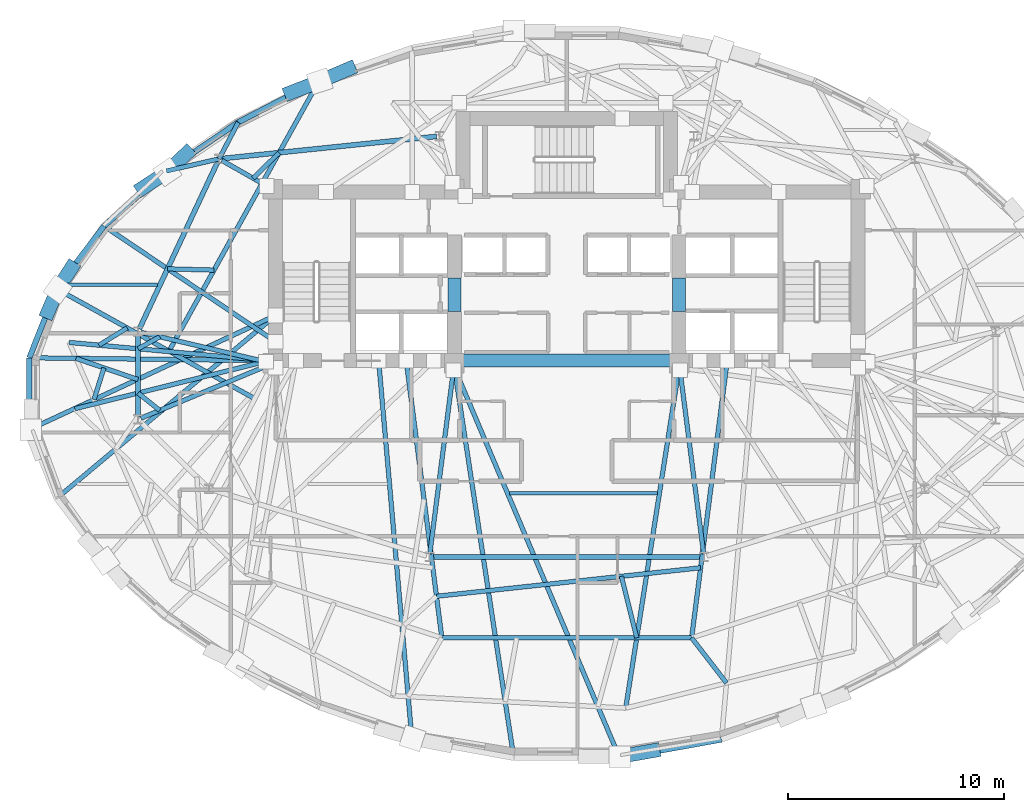
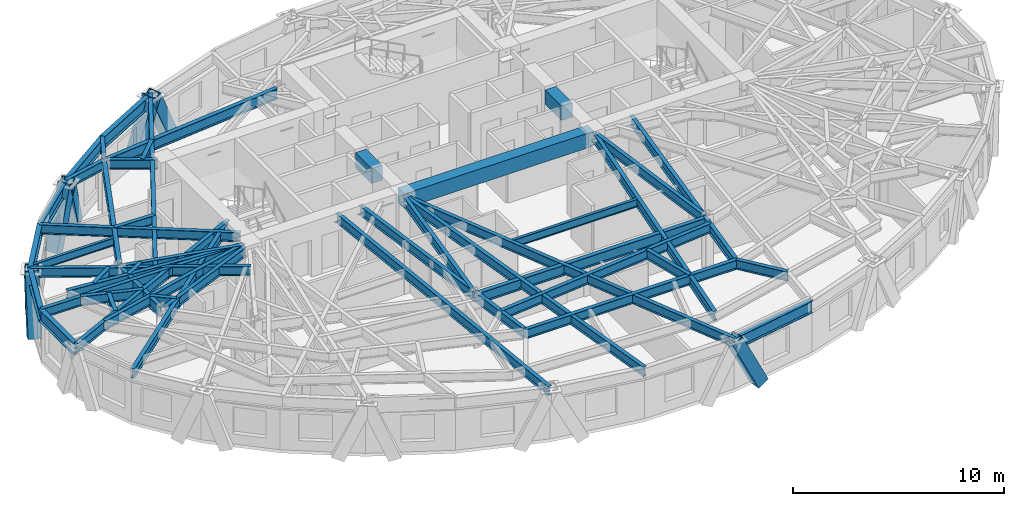
# One storey, part 2 of 14: 48 beams, 7 members.
"""IFC4 building model written with IfcOpenShell, lengths in metres."""

from ifc_helpers import new_model, si_unit, direction, frame, origin, origin_2d, place, context, subcontext, project, spatial, rectangle, hollow_rectangle, i_section, extrude, material, material_profile, profile_set, type_object, element, save


model = new_model("IFC4")

# Units and contexts
model_context = context("Model", 3, precision=1e-05, world=origin(), true_north=direction((0.0, 1.0)))
body_context = subcontext(model_context, "Body", "Model", "MODEL_VIEW")
ifc_project = project(units=[si_unit("LENGTHUNIT", "METRE"), si_unit("AREAUNIT", "SQUARE_METRE"), si_unit("VOLUMEUNIT", "CUBIC_METRE"), si_unit("PLANEANGLEUNIT", "RADIAN"), si_unit("MASSUNIT", "GRAM", prefix="KILO")], contexts=[model_context])

# Site, building, storey
site_placement = place(None, origin())
site = spatial("IfcSite", under=ifc_project, at=site_placement, CompositionType="ELEMENT")
building_placement = place(site_placement, origin())
building = spatial("IfcBuilding", under=site, at=building_placement, Name="Keldmark Tower", CompositionType="ELEMENT")
storey_placement = place(building_placement, frame((0.0, 0.0, 172.60009765625)))
storey = spatial("IfcBuildingStorey", under=building, at=storey_placement, Name="L47", CompositionType="ELEMENT", Elevation=172.60009765625)

# Beams
ifc_material_1 = material(Name="Steel ASTM A992 Grade 50", Category="steel")
ifc_material_profile_1 = material_profile(ifc_material_1, i_section(OverallWidth=0.153076171875, OverallDepth=0.455078125, WebThickness=0.008056640625, FlangeThickness=0.01318359375, at=origin_2d()), Name="W18X40")
ifc_profile_set_1 = profile_set([ifc_material_profile_1], Name="Steel ASTM A992 Grade 50")
beam_type_1 = type_object("IfcBeamType", Name="Composite Floor Joist W18X40", PredefinedType="JOIST", material=ifc_profile_set_1)
beam_1_placement = place(storey_placement, frame((-2.6376953125, -4.60009765625, 2.79248046875), z_axis=(1.0, 0.0, 0.0), x_axis=(0.0, 1.0, 0.0)))
element("IfcBeam", 1, at=beam_1_placement, inside=storey, type_object=beam_type_1, Name="L47 Composite Floor Joist J03", PredefinedType="JOIST", context=body_context, shape_type="SweptSolid", body=[
    extrude(i_section(OverallWidth=0.153076171875, OverallDepth=0.455078125, WebThickness=0.008056640625, FlangeThickness=0.01318359375, at=origin_2d()), origin(), (0.0, 0.0, 1.0), 6.830078125),
])
beam_2_placement = place(storey_placement, frame((-23.3095703125, 5.0400390625, 2.79248046875), z_axis=(1.0, 0.0, 0.0), x_axis=(0.0, 1.0, 0.0)))
element("IfcBeam", 2, at=beam_2_placement, inside=storey, type_object=beam_type_1, Name="L47 Composite Floor Joist J06", PredefinedType="JOIST", context=body_context, shape_type="SweptSolid", body=[
    extrude(i_section(OverallWidth=0.153076171875, OverallDepth=0.455078125, WebThickness=0.008056640625, FlangeThickness=0.01318359375, at=origin_2d()), origin(), (0.0, 0.0, 1.0), 4.3818359375),
])
ifc_material_2 = material(Name="Concrete C50/60", Category="concrete")
ifc_material_profile_2 = material_profile(ifc_material_2, rectangle(XDim=0.60009765625, YDim=0.85009765625, at=origin_2d()), Name="RCB600X850")
ifc_profile_set_2 = profile_set([ifc_material_profile_2], Name="Concrete C50/60")
beam_type_2 = type_object("IfcBeamType", Name="Core Coupling Beam RCB600X850", PredefinedType="USERDEFINED", material=ifc_profile_set_2)
for number, where, z_axis, x_axis, name in (
    (3, (-5.199951171875, 3.800048828125, 2.594970703125), (0.0, 1.0, 0.0), (-1.0, 0.0, 0.0), "L47 West Core Coupling Beam"),
    (4, (5.199951171875, 3.800048828125, 2.594970703125), (0.0, 1.0, 0.0), (-1.0, 0.0, 0.0), "L47 East Core Coupling Beam"),
):
    element("IfcBeam", number, at=place(storey_placement, frame(where, z_axis=z_axis, x_axis=x_axis)), inside=storey, type_object=beam_type_2, Name=name, ObjectType="COUPLING BEAM", PredefinedType="USERDEFINED", context=body_context, shape_type="SweptSolid", body=[
        extrude(rectangle(XDim=0.60009765625, YDim=0.85009765625, at=origin_2d()), origin(), (0.0, 0.0, 1.0), 1.550048828125),
    ])
beam_3_placement = place(storey_placement, frame((-5.199951171875, 1.52490234375, 2.594970703125), z_axis=(1.0, 0.0, 0.0), x_axis=(0.0, 1.0, 0.0)))
element("IfcBeam", 5, at=beam_3_placement, inside=storey, type_object=beam_type_2, Name="L47 Central South Core Coupling Beam", ObjectType="COUPLING BEAM", PredefinedType="USERDEFINED", context=body_context, shape_type="SweptSolid", body=[
    extrude(rectangle(XDim=0.60009765625, YDim=0.85009765625, at=origin_2d()), origin(), (0.0, 0.0, 1.0), 10.39990234375),
])

# Members
ifc_material_3 = material(Name="Steel ASTM A572 Grade 50", Category="steel")
ifc_material_profile_3 = material_profile(ifc_material_3, hollow_rectangle(XDim=0.64990234375, YDim=0.64990234375, WallThickness=0.0400390625, at=origin_2d()), Name="BOX650X650X40")
ifc_profile_set_3 = profile_set([ifc_material_profile_3], Name="Steel ASTM A572 Grade 50")
member_type = type_object("IfcMemberType", Name="Diagrid Zone 3 Brace BOX650X650X40", PredefinedType="BRACE", material=ifc_profile_set_3)
member_1_placement = place(storey_placement, frame((-10.05810546875, 15.033447265625, -0.260009765625), z_axis=(-0.390561707764, -0.167163768187, 0.905272239182), x_axis=(0.393482114759, -0.919332271469, 0.0)))
element("IfcMember", 6, at=member_1_placement, inside=storey, type_object=member_type, Name="L47 Perimeter Diagrid Brace 05B", PredefinedType="BRACE", context=body_context, shape_type="SweptSolid", body=[
    extrude(hollow_rectangle(XDim=0.64990234375, YDim=0.64990234375, WallThickness=0.0400390625, at=origin_2d()), origin(), (0.0, 0.0, 1.0), 3.490478515625),
])
member_2_placement = place(storey_placement, frame((-12.776611328125, 13.921630859375, -0.260009765625), z_axis=(0.392185371465, 0.15292145828, 0.907086358626), x_axis=(-0.363281691145, 0.931679350892, 0.0)))
element("IfcMember", 7, at=member_2_placement, inside=storey, type_object=member_type, Name="L47 Perimeter Diagrid Brace 06A", PredefinedType="BRACE", context=body_context, shape_type="SweptSolid", body=[
    extrude(hollow_rectangle(XDim=0.64990234375, YDim=0.64990234375, WallThickness=0.0400390625, at=origin_2d()), origin(), (0.0, 0.0, 1.0), 3.483642578125),
])
member_3_placement = place(storey_placement, frame((-17.5673828125, 11.12939453125, -0.260009765625), z_axis=(-0.267682370823, -0.256992294904, 0.928601695406), x_axis=(0.692555975601, -0.72136413874, 0.0)))
element("IfcMember", 8, at=member_3_placement, inside=storey, type_object=member_type, Name="L47 Perimeter Diagrid Brace 06B", PredefinedType="BRACE", context=body_context, shape_type="SweptSolid", body=[
    extrude(hollow_rectangle(XDim=0.64990234375, YDim=0.64990234375, WallThickness=0.0400390625, at=origin_2d()), origin(), (0.0, 0.0, 1.0), 3.40283203125),
])
member_4_placement = place(storey_placement, frame((-19.623291015625, 9.5107421875, -0.260009765625), z_axis=(0.334593004746, 0.218292895984, 0.916731003478), x_axis=(-0.546408382315, 0.837518883211, 0.0)))
element("IfcMember", 9, at=member_4_placement, inside=storey, type_object=member_type, Name="L47 Perimeter Diagrid Brace 07A", PredefinedType="BRACE", context=body_context, shape_type="SweptSolid", body=[
    extrude(hollow_rectangle(XDim=0.64990234375, YDim=0.64990234375, WallThickness=0.0400390625, at=origin_2d()), origin(), (0.0, 0.0, 1.0), 3.447021484375),
])
member_5_placement = place(storey_placement, frame((-22.91064453125, 5.820068359375, -0.260009765625), z_axis=(-0.18916227481, -0.294887631925, 0.936621011043), x_axis=(0.841708251644, -0.539932606085, 0.0)))
element("IfcMember", 10, at=member_5_placement, inside=storey, type_object=member_type, Name="L47 Perimeter Diagrid Brace 07B", PredefinedType="BRACE", context=body_context, shape_type="SweptSolid", body=[
    extrude(hollow_rectangle(XDim=0.64990234375, YDim=0.64990234375, WallThickness=0.0400390625, at=origin_2d()), origin(), (0.0, 0.0, 1.0), 3.373779296875),
])
member_6_placement = place(storey_placement, frame((-23.997314453125, 3.779541015625, -0.260009765625), z_axis=(0.13468439485, 0.314239385935, 0.939741305951), x_axis=(-0.919134045045, 0.393944929196, 0.0)))
element("IfcMember", 11, at=member_6_placement, inside=storey, type_object=member_type, Name="L47 Perimeter Diagrid Brace 08A", PredefinedType="BRACE", context=body_context, shape_type="SweptSolid", body=[
    extrude(hollow_rectangle(XDim=0.64990234375, YDim=0.64990234375, WallThickness=0.0400390625, at=origin_2d()), origin(), (0.0, 0.0, 1.0), 3.362548828125),
])
member_7_placement = place(storey_placement, frame((4.017578125, -16.5107421875, -0.260009765625), z_axis=(-0.444800567531, -0.078855082792, 0.892151517984), x_axis=(0.174559994051, -0.984646539869, 0.0)))
element("IfcMember", 12, at=member_7_placement, inside=storey, type_object=member_type, Name="L47 Perimeter Diagrid Brace 13A", PredefinedType="BRACE", context=body_context, shape_type="SweptSolid", body=[
    extrude(hollow_rectangle(XDim=0.64990234375, YDim=0.64990234375, WallThickness=0.0400390625, at=origin_2d()), origin(), (0.0, 0.0, 1.0), 3.5419921875),
])

# Beams
ifc_material_4 = material(Name="Steel ASTM A992 Grade 50", Category="steel")
ifc_material_profile_4 = material_profile(ifc_material_4, i_section(OverallWidth=0.22900390625, OverallDepth=0.612060546875, WebThickness=0.011962890625, FlangeThickness=0.01953125, at=origin_2d()), Name="W24X84")
ifc_profile_set_4 = profile_set([ifc_material_profile_4], Name="Steel ASTM A992 Grade 50")
beam_type_3 = type_object("IfcBeamType", Name="Primary Floor Girder W24X84", PredefinedType="BEAM", material=ifc_profile_set_4)
beam_4_placement = place(storey_placement, frame((-6.01953125, 11.90087890625, 2.7138671875), z_axis=(-0.994702930931, -0.102791435423, 0.0), x_axis=(0.102791435423, -0.994702930931, 0.0)))
element("IfcBeam", 13, at=beam_4_placement, inside=storey, type_object=beam_type_3, Name="L47 Floor Ring Girder FG-R04", PredefinedType="BEAM", context=body_context, shape_type="SweptSolid", body=[
    extrude(i_section(OverallWidth=0.22900390625, OverallDepth=0.612060546875, WebThickness=0.011962890625, FlangeThickness=0.01953125, at=origin_2d()), origin(), (0.0, 0.0, 1.0), 9.975341796875),
])
beam_5_placement = place(storey_placement, frame((-16.140869140625, 10.734130859375, 2.7138671875), z_axis=(-0.424526823774, -0.905415360979, 0.0), x_axis=(0.905415360979, -0.424526823774, 0.0)))
element("IfcBeam", 14, at=beam_5_placement, inside=storey, type_object=beam_type_3, Name="L47 Floor Ring Girder FG-R05", PredefinedType="BEAM", context=body_context, shape_type="SweptSolid", body=[
    extrude(i_section(OverallWidth=0.22900390625, OverallDepth=0.612060546875, WebThickness=0.011962890625, FlangeThickness=0.01953125, at=origin_2d()), origin(), (0.0, 0.0, 1.0), 8.54638671875),
])
beam_6_placement = place(storey_placement, frame((-19.828369140625, 2.729248046875, 2.7138671875), z_axis=(0.0, -1.0, 0.0), x_axis=(1.0, 0.0, 0.0)))
element("IfcBeam", 15, at=beam_6_placement, inside=storey, type_object=beam_type_3, Name="L47 Floor Ring Girder FG-R06", PredefinedType="BEAM", context=body_context, shape_type="SweptSolid", body=[
    extrude(i_section(OverallWidth=0.22900390625, OverallDepth=0.612060546875, WebThickness=0.011962890625, FlangeThickness=0.01953125, at=origin_2d()), origin(), (0.0, 0.0, 1.0), 3.778564453125),
])
beam_7_placement = place(storey_placement, frame((-6.211181640625, -7.546142578125, 2.7138671875), z_axis=(1.0, 0.0, 0.0), x_axis=(0.0, 1.0, 0.0)))
element("IfcBeam", 16, at=beam_7_placement, inside=storey, type_object=beam_type_3, Name="L47 Floor Ring Girder FG-R09", PredefinedType="BEAM", context=body_context, shape_type="SweptSolid", body=[
    extrude(i_section(OverallWidth=0.22900390625, OverallDepth=0.612060546875, WebThickness=0.011962890625, FlangeThickness=0.01953125, at=origin_2d()), origin(), (0.0, 0.0, 1.0), 12.42236328125),
])
ifc_material_5 = material(Name="Steel ASTM A992 Grade 50", Category="steel")
ifc_material_profile_5 = material_profile(ifc_material_5, i_section(OverallWidth=0.2099609375, OverallDepth=0.537109375, WebThickness=0.010986328125, FlangeThickness=0.017333984375, at=origin_2d()), Name="W21X68")
ifc_profile_set_5 = profile_set([ifc_material_profile_5], Name="Steel ASTM A992 Grade 50")
beam_type_4 = type_object("IfcBeamType", Name="Radial Tie Girder W21X68", PredefinedType="BEAM", material=ifc_profile_set_5)
beam_8_placement = place(storey_placement, frame((-15.959716796875, 10.791748046875, 2.75146484375), z_axis=(0.86929527307, -0.494293160197, 0.0), x_axis=(0.494293160197, 0.86929527307, 0.0)))
element("IfcBeam", 17, at=beam_8_placement, inside=storey, type_object=beam_type_4, Name="L47 Floor Radial Girder FG-C05", PredefinedType="BEAM", context=body_context, shape_type="SweptSolid", body=[
    extrude(i_section(OverallWidth=0.2099609375, OverallDepth=0.537109375, WebThickness=0.010986328125, FlangeThickness=0.017333984375, at=origin_2d()), origin(), (0.0, 0.0, 1.0), 2.39453125),
])
beam_9_placement = place(storey_placement, frame((-19.692138671875, 2.837158203125, 2.75146484375), z_axis=(0.973280062348, -0.229621253887, 0.0), x_axis=(0.229621253887, 0.973280062348, 0.0)))
element("IfcBeam", 18, at=beam_9_placement, inside=storey, type_object=beam_type_4, Name="L47 Floor Radial Girder FG-C06", PredefinedType="BEAM", context=body_context, shape_type="SweptSolid", body=[
    extrude(i_section(OverallWidth=0.2099609375, OverallDepth=0.537109375, WebThickness=0.010986328125, FlangeThickness=0.017333984375, at=origin_2d()), origin(), (0.0, 0.0, 1.0), 5.939208984375),
])
beam_10_placement = place(storey_placement, frame((-19.69921875, -1.135498046875, 2.75146484375), z_axis=(0.923393794893, 0.383854008124, 0.0), x_axis=(-0.383854008124, 0.923393794893, 0.0)))
element("IfcBeam", 19, at=beam_10_placement, inside=storey, type_object=beam_type_4, Name="L47 Floor Radial Girder FG-C07", PredefinedType="BEAM", context=body_context, shape_type="SweptSolid", body=[
    extrude(i_section(OverallWidth=0.2099609375, OverallDepth=0.537109375, WebThickness=0.010986328125, FlangeThickness=0.017333984375, at=origin_2d()), origin(), (0.0, 0.0, 1.0), 6.28515625),
])
for number, where, z_axis, x_axis, name in (
    (20, (-6.333251953125, -7.4072265625, 2.75146484375), (0.127635577416, 0.991821132754, 0.0), (-0.991821132754, 0.127635577416, 0.0), "L47 Floor Radial Girder FG-C09"),
    (21, (6.333251953125, -7.4072265625, 2.75146484375), (-0.127635577416, 0.991821132754, 0.0), (-0.991821132754, -0.127635577416, 0.0), "L47 Floor Radial Girder FG-C10"),
):
    element("IfcBeam", number, at=place(storey_placement, frame(where, z_axis=z_axis, x_axis=x_axis)), inside=storey, type_object=beam_type_4, Name=name, PredefinedType="BEAM", context=body_context, shape_type="SweptSolid", body=[
        extrude(i_section(OverallWidth=0.2099609375, OverallDepth=0.537109375, WebThickness=0.010986328125, FlangeThickness=0.017333984375, at=origin_2d()), origin(), (0.0, 0.0, 1.0), 8.559814453125),
    ])
beam_11_placement = place(storey_placement, frame((-18.82861328125, -0.773681640625, 2.75146484375), z_axis=(-0.779752937026, 0.626087339913, 0.0), x_axis=(-0.626087339913, -0.779752937026, 0.0)))
element("IfcBeam", 22, at=beam_11_placement, inside=storey, type_object=beam_type_4, Name="L47 Framing Pin Header PH-003", PredefinedType="BEAM", context=body_context, shape_type="SweptSolid", body=[
    extrude(i_section(OverallWidth=0.2099609375, OverallDepth=0.537109375, WebThickness=0.010986328125, FlangeThickness=0.017333984375, at=origin_2d()), origin(), (0.0, 0.0, 1.0), 1.2822265625),
])
beam_12_placement = place(storey_placement, frame((-13.800048828125, 1.52490234375, 2.75146484375), z_axis=(-0.970567456577, -0.240829425597, 0.0), x_axis=(0.240829425597, -0.970567456577, 0.0)))
element("IfcBeam", 23, at=beam_12_placement, inside=storey, type_object=beam_type_4, Name="L47 Sub-Ring Step Girder STP1-M07", PredefinedType="BEAM", context=body_context, shape_type="SweptSolid", body=[
    extrude(i_section(OverallWidth=0.2099609375, OverallDepth=0.537109375, WebThickness=0.010986328125, FlangeThickness=0.017333984375, at=origin_2d()), origin(), (0.0, 0.0, 1.0), 9.22705078125),
])
beam_13_placement = place(storey_placement, frame((-7.425048828125, 1.52490234375, 2.75146484375), z_axis=(0.127479270529, -0.99184123507, 0.0), x_axis=(0.99184123507, 0.127479270529, 0.0)))
element("IfcBeam", 24, at=beam_13_placement, inside=storey, type_object=beam_type_4, Name="L47 Sub-Ring Step Girder STP1-M09", PredefinedType="BEAM", context=body_context, shape_type="SweptSolid", body=[
    extrude(i_section(OverallWidth=0.2099609375, OverallDepth=0.537109375, WebThickness=0.010986328125, FlangeThickness=0.017333984375, at=origin_2d()), origin(), (0.0, 0.0, 1.0), 12.92529296875),
])
beam_14_placement = place(storey_placement, frame((-6.0244140625, -9.3720703125, 2.75146484375), z_axis=(0.994231177641, 0.107258404829, 0.0), x_axis=(-0.107258404829, 0.994231177641, 0.0)))
element("IfcBeam", 25, at=beam_14_placement, inside=storey, type_object=beam_type_4, Name="L47 Framing Pin Header PH-006", PredefinedType="BEAM", context=body_context, shape_type="SweptSolid", body=[
    extrude(i_section(OverallWidth=0.2099609375, OverallDepth=0.537109375, WebThickness=0.010986328125, FlangeThickness=0.017333984375, at=origin_2d()), origin(), (0.0, 0.0, 1.0), 12.2890625),
])
beam_15_placement = place(storey_placement, frame((7.425048828125, 1.52490234375, 2.75146484375), z_axis=(-0.127479270529, -0.99184123507, 0.0), x_axis=(0.99184123507, -0.127479270529, 0.0)))
element("IfcBeam", 26, at=beam_15_placement, inside=storey, type_object=beam_type_4, Name="L47 Sub-Ring Step Girder STP1-M10", PredefinedType="BEAM", context=body_context, shape_type="SweptSolid", body=[
    extrude(i_section(OverallWidth=0.2099609375, OverallDepth=0.537109375, WebThickness=0.010986328125, FlangeThickness=0.017333984375, at=origin_2d()), origin(), (0.0, 0.0, 1.0), 12.92529296875),
])
beam_16_placement = place(storey_placement, frame((-5.77734375, -11.294921875, 2.75146484375), z_axis=(1.0, 0.0, 0.0), x_axis=(0.0, 1.0, 0.0)))
element("IfcBeam", 27, at=beam_16_placement, inside=storey, type_object=beam_type_4, Name="L47 Perimeter Collector Ring Beam CRG1-M09", PredefinedType="BEAM", context=body_context, shape_type="SweptSolid", body=[
    extrude(i_section(OverallWidth=0.2099609375, OverallDepth=0.537109375, WebThickness=0.010986328125, FlangeThickness=0.017333984375, at=origin_2d()), origin(), (0.0, 0.0, 1.0), 11.5546875),
])
beam_17_placement = place(storey_placement, frame((-18.824951171875, 2.632568359375, 2.75146484375), z_axis=(-0.874909314631, -0.484286786079, 0.0), x_axis=(0.484286786079, -0.874909314631, 0.0)))
element("IfcBeam", 28, at=beam_17_placement, inside=storey, type_object=beam_type_4, Name="L47 Framing Pin Header PH-009", PredefinedType="BEAM", context=body_context, shape_type="SweptSolid", body=[
    extrude(i_section(OverallWidth=0.2099609375, OverallDepth=0.537109375, WebThickness=0.010986328125, FlangeThickness=0.017333984375, at=origin_2d()), origin(), (0.0, 0.0, 1.0), 1.14697265625),
])
beam_18_placement = place(storey_placement, frame((-13.800048828125, 1.52490234375, 2.75146484375), z_axis=(-0.995830935394, 0.091218134779, 0.0), x_axis=(-0.091218134779, -0.995830935394, 0.0)))
element("IfcBeam", 29, at=beam_18_placement, inside=storey, type_object=beam_type_4, Name="L47 Sub-Ring Step Girder STP2-M07", PredefinedType="BEAM", context=body_context, shape_type="SweptSolid", body=[
    extrude(i_section(OverallWidth=0.2099609375, OverallDepth=0.537109375, WebThickness=0.010986328125, FlangeThickness=0.017333984375, at=origin_2d()), origin(), (0.0, 0.0, 1.0), 9.2578125),
])
beam_19_placement = place(storey_placement, frame((2.5283203125, -8.44921875, 2.75146484375), z_axis=(0.242222246227, -0.970220791074, 0.0), x_axis=(0.970220791074, 0.242222246227, 0.0)))
element("IfcBeam", 30, at=beam_19_placement, inside=storey, type_object=beam_type_4, Name="L47 Framing Pin Header PH-012", PredefinedType="BEAM", context=body_context, shape_type="SweptSolid", body=[
    extrude(i_section(OverallWidth=0.2099609375, OverallDepth=0.537109375, WebThickness=0.010986328125, FlangeThickness=0.017333984375, at=origin_2d()), origin(), (0.0, 0.0, 1.0), 2.93310546875),
])
beam_20_placement = place(storey_placement, frame((5.199951171875, 1.199951171875, 2.75146484375), z_axis=(-0.155068904445, -0.987903656676, 0.0), x_axis=(0.987903656676, -0.155068904445, 0.0)))
element("IfcBeam", 31, at=beam_20_placement, inside=storey, type_object=beam_type_4, Name="L47 Sub-Ring Step Girder STP2-M10", PredefinedType="BEAM", context=body_context, shape_type="SweptSolid", body=[
    extrude(i_section(OverallWidth=0.2099609375, OverallDepth=0.537109375, WebThickness=0.010986328125, FlangeThickness=0.017333984375, at=origin_2d()), origin(), (0.0, 0.0, 1.0), 15.937744140625),
])
beam_21_placement = place(storey_placement, frame((-14.502685546875, 9.96337890625, 2.75146484375), z_axis=(0.711509154561, 0.702676826839, 0.0), x_axis=(-0.702676826839, 0.711509154561, 0.0)))
element("IfcBeam", 32, at=beam_21_placement, inside=storey, type_object=beam_type_4, Name="L47 Framing Pin Header PH-023", PredefinedType="BEAM", context=body_context, shape_type="SweptSolid", body=[
    extrude(i_section(OverallWidth=0.2099609375, OverallDepth=0.537109375, WebThickness=0.010986328125, FlangeThickness=0.017333984375, at=origin_2d()), origin(), (0.0, 0.0, 1.0), 1.68603515625),
])
beam_22_placement = place(storey_placement, frame((-18.40966796875, 1.947265625, 2.75146484375), z_axis=(0.485277802264, 0.87436002575, 0.0), x_axis=(-0.87436002575, 0.485277802264, 0.0)))
element("IfcBeam", 33, at=beam_22_placement, inside=storey, type_object=beam_type_4, Name="L47 Perimeter Radial Tie Girder RT-11", PredefinedType="BEAM", context=body_context, shape_type="SweptSolid", body=[
    extrude(i_section(OverallWidth=0.2099609375, OverallDepth=0.537109375, WebThickness=0.010986328125, FlangeThickness=0.017333984375, at=origin_2d()), origin(), (0.0, 0.0, 1.0), 14.36474609375),
])
beam_23_placement = place(storey_placement, frame((-16.08154296875, 10.861083984375, 2.75146484375), z_axis=(0.463863622321, 0.885906620298, 0.0), x_axis=(-0.885906620298, 0.463863622321, 0.0)))
element("IfcBeam", 34, at=beam_23_placement, inside=storey, type_object=beam_type_4, Name="L47 Perimeter Column Bracket RT-12", PredefinedType="BEAM", context=body_context, shape_type="SweptSolid", body=[
    extrude(i_section(OverallWidth=0.2099609375, OverallDepth=0.537109375, WebThickness=0.010986328125, FlangeThickness=0.017333984375, at=origin_2d()), origin(), (0.0, 0.0, 1.0), 1.908935546875),
])
beam_24_placement = place(storey_placement, frame((-16.08154296875, 10.861083984375, 2.75146484375), z_axis=(-0.974593383716, -0.223981553743, 0.0), x_axis=(0.223981553743, -0.974593383716, 0.0)))
element("IfcBeam", 35, at=beam_24_placement, inside=storey, type_object=beam_type_4, Name="L47 Perimeter Column Bracket RT-13", PredefinedType="BEAM", context=body_context, shape_type="SweptSolid", body=[
    extrude(i_section(OverallWidth=0.2099609375, OverallDepth=0.537109375, WebThickness=0.010986328125, FlangeThickness=0.017333984375, at=origin_2d()), origin(), (0.0, 0.0, 1.0), 2.498291015625),
])
beam_25_placement = place(storey_placement, frame((-16.318359375, 5.715087890625, 2.75146484375), z_axis=(-0.999615646092, 0.027722916304, 0.0), x_axis=(-0.027722916304, -0.999615646092, 0.0)))
element("IfcBeam", 36, at=beam_25_placement, inside=storey, type_object=beam_type_4, Name="L47 Framing Pin Header PH-024", PredefinedType="BEAM", context=body_context, shape_type="SweptSolid", body=[
    extrude(i_section(OverallWidth=0.2099609375, OverallDepth=0.537109375, WebThickness=0.010986328125, FlangeThickness=0.017333984375, at=origin_2d()), origin(), (0.0, 0.0, 1.0), 2.148681640625),
])
beam_26_placement = place(storey_placement, frame((-13.47509765625, 2.406982421875, 2.75146484375), z_axis=(-0.828953457394, 0.559317589098, 0.0), x_axis=(-0.559317589098, -0.828953457394, 0.0)))
element("IfcBeam", 37, at=beam_26_placement, inside=storey, type_object=beam_type_4, Name="L47 Perimeter Radial Tie Girder RT-14", PredefinedType="BEAM", context=body_context, shape_type="SweptSolid", body=[
    extrude(i_section(OverallWidth=0.2099609375, OverallDepth=0.537109375, WebThickness=0.010986328125, FlangeThickness=0.017333984375, at=origin_2d()), origin(), (0.0, 0.0, 1.0), 9.560546875),
])
beam_27_placement = place(storey_placement, frame((-21.63623046875, 2.242919921875, 2.75146484375), z_axis=(0.852950000156, 0.521992621819, 0.0), x_axis=(-0.521992621819, 0.852950000156, 0.0)))
element("IfcBeam", 38, at=beam_27_placement, inside=storey, type_object=beam_type_4, Name="L47 Framing Pin Header PH-025", PredefinedType="BEAM", context=body_context, shape_type="SweptSolid", body=[
    extrude(i_section(OverallWidth=0.2099609375, OverallDepth=0.537109375, WebThickness=0.010986328125, FlangeThickness=0.017333984375, at=origin_2d()), origin(), (0.0, 0.0, 1.0), 1.528564453125),
])
beam_28_placement = place(storey_placement, frame((-14.4296875, -0.232421875, 2.75146484375), z_axis=(-0.874548992067, 0.484937171677, 0.0), x_axis=(-0.484937171677, -0.874548992067, 0.0)))
element("IfcBeam", 39, at=beam_28_placement, inside=storey, type_object=beam_type_4, Name="L47 Perimeter Radial Tie Girder RT-15", PredefinedType="BEAM", context=body_context, shape_type="SweptSolid", body=[
    extrude(i_section(OverallWidth=0.2099609375, OverallDepth=0.537109375, WebThickness=0.010986328125, FlangeThickness=0.017333984375, at=origin_2d()), origin(), (0.0, 0.0, 1.0), 10.48779296875),
])
beam_29_placement = place(storey_placement, frame((-19.828369140625, 0.651123046875, 2.75146484375), z_axis=(-0.946159445434, 0.323700948123, 0.0), x_axis=(-0.323700948123, -0.946159445434, 0.0)))
element("IfcBeam", 40, at=beam_29_placement, inside=storey, type_object=beam_type_4, Name="L47 Framing Pin Header PH-026", PredefinedType="BEAM", context=body_context, shape_type="SweptSolid", body=[
    extrude(i_section(OverallWidth=0.2099609375, OverallDepth=0.537109375, WebThickness=0.010986328125, FlangeThickness=0.017333984375, at=origin_2d()), origin(), (0.0, 0.0, 1.0), 3.0341796875),
])
beam_30_placement = place(storey_placement, frame((-13.800048828125, 1.52490234375, 2.75146484375), z_axis=(-0.999925982329, 0.012166752413, 0.0), x_axis=(-0.012166752413, -0.999925982329, 0.0)))
element("IfcBeam", 41, at=beam_30_placement, inside=storey, type_object=beam_type_4, Name="L47 Perimeter Radial Tie Girder RT-16", PredefinedType="BEAM", context=body_context, shape_type="SweptSolid", body=[
    extrude(i_section(OverallWidth=0.2099609375, OverallDepth=0.537109375, WebThickness=0.010986328125, FlangeThickness=0.017333984375, at=origin_2d()), origin(), (0.0, 0.0, 1.0), 11.056396484375),
])
beam_31_placement = place(storey_placement, frame((-21.4072265625, 1.19140625, 2.75146484375), z_axis=(-0.300325991997, -0.95383662046, 0.0), x_axis=(0.95383662046, -0.300325991997, 0.0)))
element("IfcBeam", 42, at=beam_31_placement, inside=storey, type_object=beam_type_4, Name="L47 Framing Pin Header PH-027", PredefinedType="BEAM", context=body_context, shape_type="SweptSolid", body=[
    extrude(i_section(OverallWidth=0.2099609375, OverallDepth=0.537109375, WebThickness=0.010986328125, FlangeThickness=0.017333984375, at=origin_2d()), origin(), (0.0, 0.0, 1.0), 1.5380859375),
])
beam_32_placement = place(storey_placement, frame((-13.47509765625, 3.6142578125, 2.75146484375), z_axis=(-0.907318575019, -0.420443817204, 0.0), x_axis=(0.420443817204, -0.907318575019, 0.0)))
element("IfcBeam", 43, at=beam_32_placement, inside=storey, type_object=beam_type_4, Name="L47 Perimeter Radial Tie Girder RT-17", PredefinedType="BEAM", context=body_context, shape_type="SweptSolid", body=[
    extrude(i_section(OverallWidth=0.2099609375, OverallDepth=0.537109375, WebThickness=0.010986328125, FlangeThickness=0.017333984375, at=origin_2d()), origin(), (0.0, 0.0, 1.0), 12.543212890625),
])
beam_33_placement = place(storey_placement, frame((-13.47509765625, 3.6142578125, 2.75146484375), z_axis=(-0.767145376724, -0.641473281572, 0.0), x_axis=(0.641473281572, -0.767145376724, 0.0)))
element("IfcBeam", 44, at=beam_33_placement, inside=storey, type_object=beam_type_4, Name="L47 Perimeter Radial Tie Girder RT-18", PredefinedType="BEAM", context=body_context, shape_type="SweptSolid", body=[
    extrude(i_section(OverallWidth=0.2099609375, OverallDepth=0.537109375, WebThickness=0.010986328125, FlangeThickness=0.017333984375, at=origin_2d()), origin(), (0.0, 0.0, 1.0), 13.200439453125),
])
beam_34_placement = place(storey_placement, frame((-8.699951171875, 1.52490234375, 2.75146484375), z_axis=(0.087568577951, -0.996158493492, 0.0), x_axis=(0.996158493492, 0.087568577951, 0.0)))
element("IfcBeam", 45, at=beam_34_placement, inside=storey, type_object=beam_type_4, Name="L47 Perimeter Radial Tie Girder RT-23", PredefinedType="BEAM", context=body_context, shape_type="SweptSolid", body=[
    extrude(i_section(OverallWidth=0.2099609375, OverallDepth=0.537109375, WebThickness=0.010986328125, FlangeThickness=0.017333984375, at=origin_2d()), origin(), (0.0, 0.0, 1.0), 17.59228515625),
])
beam_35_placement = place(storey_placement, frame((-5.199951171875, 1.199951171875, 2.75146484375), z_axis=(0.150724678201, -0.988575779281, 0.0), x_axis=(0.988575779281, 0.150724678201, 0.0)))
element("IfcBeam", 46, at=beam_35_placement, inside=storey, type_object=beam_type_4, Name="L47 Perimeter Radial Tie Girder RT-24", PredefinedType="BEAM", context=body_context, shape_type="SweptSolid", body=[
    extrude(i_section(OverallWidth=0.2099609375, OverallDepth=0.537109375, WebThickness=0.010986328125, FlangeThickness=0.017333984375, at=origin_2d()), origin(), (0.0, 0.0, 1.0), 18.258056640625),
])
beam_36_placement = place(storey_placement, frame((-5.199951171875, 1.199951171875, 2.75146484375), z_axis=(0.390141696904, -0.920754829657, 0.0), x_axis=(0.920754829657, 0.390141696904, 0.0)))
element("IfcBeam", 47, at=beam_36_placement, inside=storey, type_object=beam_type_4, Name="L47 Perimeter Radial Tie Girder RT-25", PredefinedType="BEAM", context=body_context, shape_type="SweptSolid", body=[
    extrude(i_section(OverallWidth=0.2099609375, OverallDepth=0.537109375, WebThickness=0.010986328125, FlangeThickness=0.017333984375, at=origin_2d()), origin(), (0.0, 0.0, 1.0), 19.60302734375),
])
beam_37_placement = place(storey_placement, frame((5.77734375, -11.294921875, 2.75146484375), z_axis=(0.611239378752, -0.791445779484, 0.0), x_axis=(0.791445779484, 0.611239378752, 0.0)))
element("IfcBeam", 48, at=beam_37_placement, inside=storey, type_object=beam_type_4, Name="L47 Framing Pin Header PH-036", PredefinedType="BEAM", context=body_context, shape_type="SweptSolid", body=[
    extrude(i_section(OverallWidth=0.2099609375, OverallDepth=0.537109375, WebThickness=0.010986328125, FlangeThickness=0.017333984375, at=origin_2d()), origin(), (0.0, 0.0, 1.0), 2.6376953125),
])
ifc_material_6 = material(Name="Steel ASTM A992 Grade 50", Category="steel")
ifc_material_profile_6 = material_profile(ifc_material_6, i_section(OverallWidth=0.256103515625, OverallDepth=0.693115234375, WebThickness=0.014404296875, FlangeThickness=0.023681640625, at=origin_2d()), Name="W27X114")
ifc_profile_set_6 = profile_set([ifc_material_profile_6], Name="Steel ASTM A992 Grade 50")
beam_type_5 = type_object("IfcBeamType", Name="Spandrel Ring Beam W27X114", PredefinedType="SPANDREL", material=ifc_profile_set_6)
beam_38_placement = place(storey_placement, frame((-11.438720703125, 14.50732421875, 2.67333984375), z_axis=(-0.887094083226, -0.461588656171, 0.0), x_axis=(0.461588656171, -0.887094083226, 0.0)))
element("IfcBeam", 49, at=beam_38_placement, inside=storey, type_object=beam_type_5, Name="L47 Perimeter Spandrel Ring Beam SRB-11", PredefinedType="SPANDREL", context=body_context, shape_type="SweptSolid", body=[
    extrude(i_section(OverallWidth=0.256103515625, OverallDepth=0.693115234375, WebThickness=0.014404296875, FlangeThickness=0.023681640625, at=origin_2d()), origin(), (0.0, 0.0, 1.0), 4.235595703125),
])
beam_39_placement = place(storey_placement, frame((-15.196044921875, 12.55224609375, 2.67333984375), z_axis=(-0.827746348969, -0.561102469937, 0.0), x_axis=(0.561102469937, -0.827746348969, 0.0)))
element("IfcBeam", 50, at=beam_39_placement, inside=storey, type_object=beam_type_5, Name="L47 Perimeter Spandrel Ring Beam SRB-12", PredefinedType="SPANDREL", context=body_context, shape_type="SweptSolid", body=[
    extrude(i_section(OverallWidth=0.256103515625, OverallDepth=0.693115234375, WebThickness=0.014404296875, FlangeThickness=0.023681640625, at=origin_2d()), origin(), (0.0, 0.0, 1.0), 4.01123046875),
])
beam_40_placement = place(storey_placement, frame((-18.516357421875, 10.301513671875, 2.67333984375), z_axis=(-0.749530401757, -0.661969921403, 0.0), x_axis=(0.661969921403, -0.749530401757, 0.0)))
element("IfcBeam", 51, at=beam_40_placement, inside=storey, type_object=beam_type_5, Name="L47 Perimeter Spandrel Ring Beam SRB-13", PredefinedType="SPANDREL", context=body_context, shape_type="SweptSolid", body=[
    extrude(i_section(OverallWidth=0.256103515625, OverallDepth=0.693115234375, WebThickness=0.014404296875, FlangeThickness=0.023681640625, at=origin_2d()), origin(), (0.0, 0.0, 1.0), 3.847900390625),
])
beam_41_placement = place(storey_placement, frame((-21.400390625, 7.75439453125, 2.67333984375), z_axis=(-0.604517065871, -0.796592189939, 0.0), x_axis=(0.796592189939, -0.604517065871, 0.0)))
element("IfcBeam", 52, at=beam_41_placement, inside=storey, type_object=beam_type_5, Name="L47 Perimeter Spandrel Ring Beam SRB-14", PredefinedType="SPANDREL", context=body_context, shape_type="SweptSolid", body=[
    extrude(i_section(OverallWidth=0.256103515625, OverallDepth=0.693115234375, WebThickness=0.014404296875, FlangeThickness=0.023681640625, at=origin_2d()), origin(), (0.0, 0.0, 1.0), 3.6416015625),
])
beam_42_placement = place(storey_placement, frame((-23.601806640625, 4.853515625, 2.67333984375), z_axis=(-0.365421225195, -0.930842268151, 0.0), x_axis=(0.930842268151, -0.365421225195, 0.0)))
element("IfcBeam", 53, at=beam_42_placement, inside=storey, type_object=beam_type_5, Name="L47 Perimeter Spandrel Ring Beam SRB-15", PredefinedType="SPANDREL", context=body_context, shape_type="SweptSolid", body=[
    extrude(i_section(OverallWidth=0.256103515625, OverallDepth=0.693115234375, WebThickness=0.014404296875, FlangeThickness=0.023681640625, at=origin_2d()), origin(), (0.0, 0.0, 1.0), 3.431396484375),
])
beam_43_placement = place(storey_placement, frame((-24.855712890625, 1.659423828125, 2.67333984375), z_axis=(0.0, -1.0, 0.0), x_axis=(1.0, 0.0, 0.0)))
element("IfcBeam", 54, at=beam_43_placement, inside=storey, type_object=beam_type_5, Name="L47 Perimeter Spandrel Ring Beam SRB-16", PredefinedType="SPANDREL", context=body_context, shape_type="SweptSolid", body=[
    extrude(i_section(OverallWidth=0.256103515625, OverallDepth=0.693115234375, WebThickness=0.014404296875, FlangeThickness=0.023681640625, at=origin_2d()), origin(), (0.0, 0.0, 1.0), 3.31884765625),
])
beam_44_placement = place(storey_placement, frame((2.447998046875, -16.849609375, 2.67333984375), z_axis=(0.984117817758, 0.177516536616, 0.0), x_axis=(-0.177516536616, 0.984117817758, 0.0)))
element("IfcBeam", 55, at=beam_44_placement, inside=storey, type_object=beam_type_5, Name="L47 Perimeter Spandrel Ring Beam SRB-25", PredefinedType="SPANDREL", context=body_context, shape_type="SweptSolid", body=[
    extrude(i_section(OverallWidth=0.256103515625, OverallDepth=0.693115234375, WebThickness=0.014404296875, FlangeThickness=0.023681640625, at=origin_2d()), origin(), (0.0, 0.0, 1.0), 4.787353515625),
])

save(model, "model.ifc")
